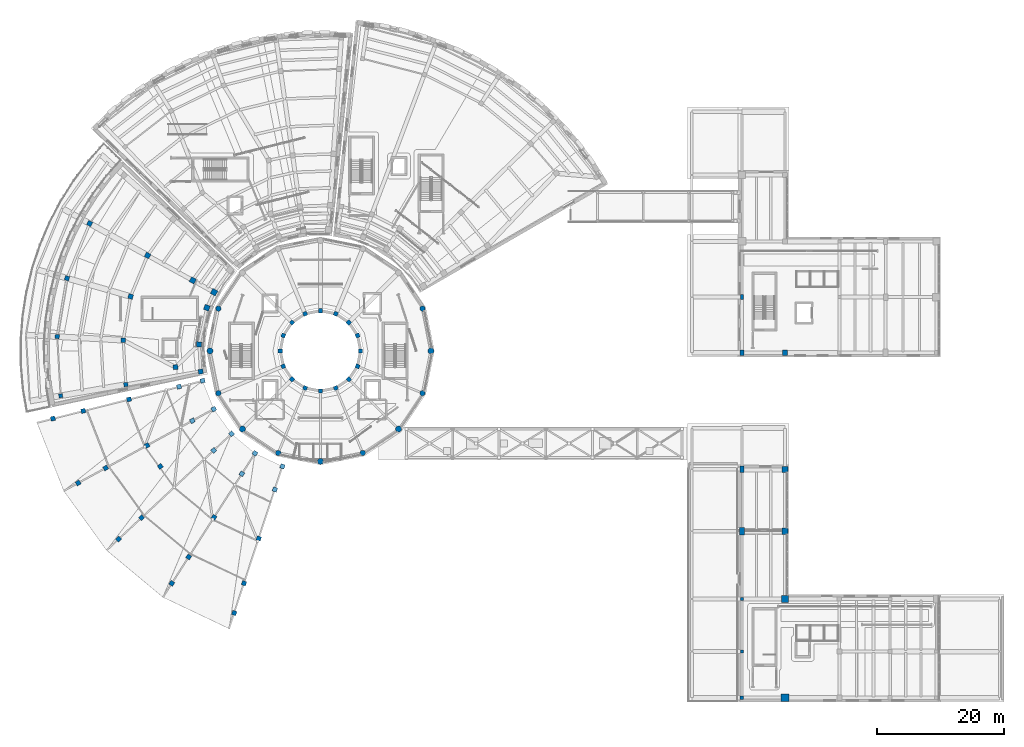
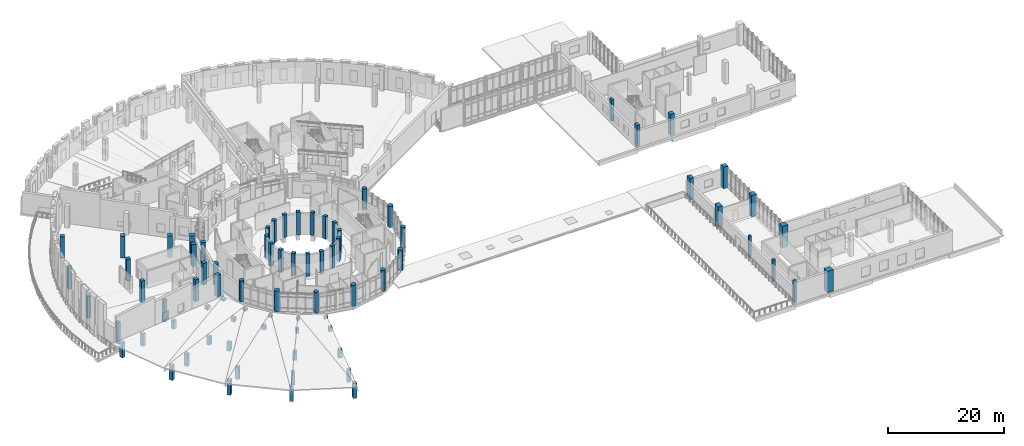
# One storey, part 1 of 75: 78 columns.
"""IFC4 building model written with IfcOpenShell, lengths in metres."""

from ifc_helpers import new_model, si_unit, direction, frame, origin, origin_2d, place, context, subcontext, project, spatial, rectangle, circle, extrude, material, material_profile, profile_set, type_object, element, save


model = new_model("IFC4")

# Units and contexts
model_context = context("Model", 3, precision=1e-05, world=origin(), true_north=direction((0.0, 1.0)))
body_context = subcontext(model_context, "Body", "Model", "MODEL_VIEW")
ifc_project = project(units=[si_unit("LENGTHUNIT", "METRE"), si_unit("AREAUNIT", "SQUARE_METRE"), si_unit("VOLUMEUNIT", "CUBIC_METRE"), si_unit("PLANEANGLEUNIT", "RADIAN"), si_unit("MASSUNIT", "GRAM", prefix="KILO")], contexts=[model_context])

# Site, building, storey
site_placement = place(None, origin())
site = spatial("IfcSite", under=ifc_project, at=site_placement, CompositionType="ELEMENT")
building_placement = place(site_placement, origin())
building = spatial("IfcBuilding", under=site, at=building_placement, Name="Soyqirgoq Riverine Aquarium", CompositionType="ELEMENT")
storey_placement = place(building_placement, frame((0.0, 0.0, 10.199951171875)))
storey = spatial("IfcBuildingStorey", under=building, at=storey_placement, Name="L03", CompositionType="ELEMENT", Elevation=10.199951171875)

# Columns
ifc_material_1 = material(Name="Concrete C40/50", Category="concrete")
ifc_material_profile_1 = material_profile(ifc_material_1, circle(Radius=0.425048828125, at=origin_2d()), Name="RC-COL D850")
ifc_profile_set_1 = profile_set([ifc_material_profile_1], Name="Concrete C40/50")
column_type_1 = type_object("IfcColumnType", Name="Col_Circ_D850", PredefinedType="COLUMN", material=ifc_profile_set_1)
for number, where, z_axis, x_axis, name in (
    (1, (72.12158203125, 63.677734375, 0.0), (0.0, 0.0, 1.0), (0.923879532511, 0.382683432365, 0.0), "V1 Column V1-CO02 L03"),
    (2, (39.87841796875, 63.677734375, 0.0), (0.0, 0.0, 1.0), (-0.923879532511, 0.382683432365, 0.0), "V1 Column V1-CO08 L03"),
    (3, (39.87841796875, 50.322265625, 0.0), (0.0, 0.0, 1.0), (-0.923879532511, -0.382683432365, 0.0), "V1 Column V1-CO10 L03"),
    (4, (49.322265625, 40.87841796875, 0.0), (0.0, 0.0, 1.0), (-0.382683432365, -0.923879532511, 0.0), "V1 Column V1-CO12 L03"),
    (5, (62.677734375, 40.87841796875, 0.0), (0.0, 0.0, 1.0), (0.382683432365, -0.923879532511, 0.0), "V1 Column V1-CO14 L03"),
    (6, (72.12158203125, 50.322265625, 0.0), (0.0, 0.0, 1.0), (0.923879532511, -0.382683432365, 0.0), "V1 Column V1-CO16 L03"),
):
    element("IfcColumn", number, at=place(storey_placement, frame(where, z_axis=z_axis, x_axis=x_axis)), inside=storey, type_object=column_type_1, Name=name, PredefinedType="COLUMN", context=body_context, shape_type="SweptSolid", body=[
        extrude(circle(Radius=0.425048828125, at=origin_2d()), origin(), (0.0, 0.0, 1.0), 4.449951171875),
    ])
ifc_material_2 = material(Name="Concrete C40/50", Category="concrete")
ifc_material_profile_2 = material_profile(ifc_material_2, circle(Radius=0.47509765625, at=origin_2d()), Name="RC-COL D950")
ifc_profile_set_2 = profile_set([ifc_material_profile_2], Name="Concrete C40/50")
column_type_2 = type_object("IfcColumnType", Name="Col_Circ_D950", PredefinedType="COLUMN", material=ifc_profile_set_2)
for number, where, z_axis, x_axis, name in (
    (7, (73.449951171875, 57.0, 0.0), (0.0, 0.0, 1.0), (1.0, 0.0, 0.0), "V1 Column V1-CO01 L03"),
    (8, (38.550048828125, 57.0, 0.0), (0.0, 0.0, 1.0), (-1.0, 0.0, 0.0), "V1 Column V1-CO09 L03"),
    (9, (43.660888671875, 44.660888671875, 0.0), (0.0, 0.0, 1.0), (-0.707106781187, -0.707106781187, 0.0), "V1 Column V1-CO11 L03"),
    (10, (56.0, 39.550048828125, 0.0), (0.0, 0.0, 1.0), (0.0, -1.0, 0.0), "V1 Column V1-CO13 L03"),
    (11, (68.339111328125, 44.660888671875, 0.0), (0.0, 0.0, 1.0), (0.707106781187, -0.707106781187, 0.0), "V1 Column V1-CO15 L03"),
):
    element("IfcColumn", number, at=place(storey_placement, frame(where, z_axis=z_axis, x_axis=x_axis)), inside=storey, type_object=column_type_2, Name=name, PredefinedType="COLUMN", context=body_context, shape_type="SweptSolid", body=[
        extrude(circle(Radius=0.47509765625, at=origin_2d()), origin(), (0.0, 0.0, 1.0), 4.449951171875),
    ])
ifc_material_3 = material(Name="Concrete C40/50", Category="concrete")
ifc_material_profile_3 = material_profile(ifc_material_3, rectangle(XDim=1.0, YDim=1.0, at=origin_2d()), Name="RC 1000x1000")
ifc_profile_set_3 = profile_set([ifc_material_profile_3], Name="Concrete C40/50")
column_type_3 = type_object("IfcColumnType", Name="Col_RC_1000x1000", PredefinedType="COLUMN", material=ifc_profile_set_3)
column_1_placement = place(storey_placement, frame((129.39990234375, 28.5, 0.0), z_axis=(0.0, 0.0, 1.0), x_axis=(1.0, 0.0, 0.0)))
element("IfcColumn", 12, at=column_1_placement, inside=storey, type_object=column_type_3, Name="V6 Column V6-C-17 L03", PredefinedType="COLUMN", context=body_context, shape_type="SweptSolid", body=[
    extrude(rectangle(XDim=1.0, YDim=1.0, at=origin_2d()), origin(), (0.0, 0.0, 1.0), 4.5400390625),
])
ifc_material_4 = material(Name="Waterproof concrete C45/55", Category="concrete")
ifc_material_profile_4 = material_profile(ifc_material_4, rectangle(XDim=1.10009765625, YDim=1.10009765625, at=origin_2d()), Name="RC 1100x1100")
ifc_profile_set_4 = profile_set([ifc_material_profile_4], Name="Waterproof concrete C45/55")
column_type_4 = type_object("IfcColumnType", Name="Col_RC_1100x1100", PredefinedType="COLUMN", material=ifc_profile_set_4)
column_2_placement = place(storey_placement, frame((129.39990234375, 17.800048828125, 0.0), z_axis=(0.0, 0.0, 1.0), x_axis=(1.0, 0.0, 0.0)))
element("IfcColumn", 13, at=column_2_placement, inside=storey, type_object=column_type_4, Name="V6 Column V6-C-16 L03", PredefinedType="COLUMN", context=body_context, shape_type="SweptSolid", body=[
    extrude(rectangle(XDim=1.10009765625, YDim=1.10009765625, at=origin_2d()), origin(), (0.0, 0.0, 1.0), 4.5400390625),
])
ifc_material_5 = material(Name="Waterproof concrete C45/55", Category="concrete")
ifc_material_profile_5 = material_profile(ifc_material_5, rectangle(XDim=1.199951171875, YDim=1.199951171875, at=origin_2d()), Name="RC 1200x1200")
ifc_profile_set_5 = profile_set([ifc_material_profile_5], Name="Waterproof concrete C45/55")
column_type_5 = type_object("IfcColumnType", Name="Col_RC_1200x1200", PredefinedType="COLUMN", material=ifc_profile_set_5)
column_3_placement = place(storey_placement, frame((129.39990234375, 2.199951171875, 0.0), z_axis=(0.0, 0.0, 1.0), x_axis=(1.0, 0.0, 0.0)))
element("IfcColumn", 14, at=column_3_placement, inside=storey, type_object=column_type_5, Name="V6 Column V6-C-15 L03", PredefinedType="COLUMN", context=body_context, shape_type="SweptSolid", body=[
    extrude(rectangle(XDim=1.199951171875, YDim=1.199951171875, at=origin_2d()), origin(), (0.0, 0.0, 1.0), 4.5400390625),
])
ifc_material_6 = material(Name="Concrete C40/50", Category="concrete")
ifc_material_profile_6 = material_profile(ifc_material_6, rectangle(XDim=0.449951171875, YDim=0.449951171875, at=origin_2d()), Name="RC 450x450")
ifc_profile_set_6 = profile_set([ifc_material_profile_6], Name="Concrete C40/50")
column_type_6 = type_object("IfcColumnType", Name="Col_RC_450x450", PredefinedType="COLUMN", material=ifc_profile_set_6)
column_4_placement = place(storey_placement, frame((122.60009765625, 17.800048828125, 0.0), z_axis=(0.0, 0.0, 1.0), x_axis=(1.0, 0.0, 0.0)))
element("IfcColumn", 15, at=column_4_placement, inside=storey, type_object=column_type_6, Name="V6 Column V6-C-10 L03", PredefinedType="COLUMN", context=body_context, shape_type="SweptSolid", body=[
    extrude(rectangle(XDim=0.449951171875, YDim=0.449951171875, at=origin_2d()), origin(), (0.0, 0.0, 1.0), 4.5400390625),
])
ifc_material_7 = material(Name="Concrete C40/50", Category="concrete")
ifc_material_profile_7 = material_profile(ifc_material_7, rectangle(XDim=0.5, YDim=0.5, at=origin_2d()), Name="RC 500x500")
ifc_profile_set_7 = profile_set([ifc_material_profile_7], Name="Concrete C40/50")
column_type_7 = type_object("IfcColumnType", Name="Col_RC_500x500", PredefinedType="COLUMN", material=ifc_profile_set_7)
column_5_placement = place(storey_placement, frame((122.60009765625, 9.5, 0.0), z_axis=(0.0, 0.0, 1.0), x_axis=(1.0, 0.0, 0.0)))
element("IfcColumn", 16, at=column_5_placement, inside=storey, type_object=column_type_7, Name="V6 Column V6-C-09 L03", PredefinedType="COLUMN", context=body_context, shape_type="SweptSolid", body=[
    extrude(rectangle(XDim=0.5, YDim=0.5, at=origin_2d()), origin(), (0.0, 0.0, 1.0), 4.5400390625),
])
ifc_material_8 = material(Name="Concrete C40/50", Category="concrete")
ifc_material_profile_8 = material_profile(ifc_material_8, rectangle(XDim=0.5, YDim=0.75, at=origin_2d()), Name="RC-COL 500x750")
ifc_profile_set_8 = profile_set([ifc_material_profile_8], Name="Concrete C40/50")
column_type_8 = type_object("IfcColumnType", Name="Col_RC_500x750", PredefinedType="COLUMN", material=ifc_profile_set_8)
column_6_placement = place(storey_placement, frame((122.60009765625, 65.5, 0.0), z_axis=(0.0, 0.0, 1.0), x_axis=(1.0, 0.0, 0.0)))
element("IfcColumn", 17, at=column_6_placement, inside=storey, type_object=column_type_8, Name="V7 Column V7-C-09 L03", PredefinedType="COLUMN", context=body_context, shape_type="SweptSolid", body=[
    extrude(rectangle(XDim=0.5, YDim=0.75, at=origin_2d()), origin(), (0.0, 0.0, 1.0), 4.5),
])
ifc_material_9 = material(Name="Concrete C40/50", Category="concrete")
ifc_material_profile_9 = material_profile(ifc_material_9, rectangle(XDim=0.550048828125, YDim=0.550048828125, at=origin_2d()), Name="RC 550x550")
ifc_profile_set_9 = profile_set([ifc_material_profile_9], Name="Concrete C40/50")
column_type_9 = type_object("IfcColumnType", Name="Col_RC_550x550", PredefinedType="COLUMN", material=ifc_profile_set_9)
column_7_placement = place(storey_placement, frame((122.60009765625, 2.199951171875, 0.0), z_axis=(0.0, 0.0, 1.0), x_axis=(1.0, 0.0, 0.0)))
element("IfcColumn", 18, at=column_7_placement, inside=storey, type_object=column_type_9, Name="V6 Column V6-C-08 L03", PredefinedType="COLUMN", context=body_context, shape_type="SweptSolid", body=[
    extrude(rectangle(XDim=0.550048828125, YDim=0.550048828125, at=origin_2d()), origin(), (0.0, 0.0, 1.0), 4.5400390625),
])
ifc_material_10 = material(Name="Concrete C40/50", Category="concrete")
ifc_material_profile_10 = material_profile(ifc_material_10, rectangle(XDim=0.60009765625, YDim=0.60009765625, at=origin_2d()), Name="RC 600x600")
ifc_profile_set_10 = profile_set([ifc_material_profile_10], Name="Concrete C40/50")
column_type_10 = type_object("IfcColumnType", Name="Col_RC_600x600", PredefinedType="COLUMN", material=ifc_profile_set_10)
column_8_placement = place(storey_placement, frame((14.957763671875, 49.910888671875, 0.0), z_axis=(0.0, 0.0, 1.0), x_axis=(-0.985407898483, -0.170209499166, 0.0)))
element("IfcColumn", 19, at=column_8_placement, inside=storey, type_object=column_type_10, Name="V3 Column V3-CR4-05 L03", PredefinedType="COLUMN", context=body_context, shape_type="SweptSolid", body=[
    extrude(rectangle(XDim=0.60009765625, YDim=0.60009765625, at=origin_2d()), origin(), (0.0, 0.0, 1.0), 4.580078125),
])
ifc_material_11 = material(Name="Concrete C40/50", Category="concrete")
ifc_material_profile_11 = material_profile(ifc_material_11, rectangle(XDim=0.60009765625, YDim=0.89990234375, at=origin_2d()), Name="RC-COL 600x900")
ifc_profile_set_11 = profile_set([ifc_material_profile_11], Name="Concrete C40/50")
column_type_11 = type_object("IfcColumnType", Name="Col_RC_600x900", PredefinedType="COLUMN", material=ifc_profile_set_11)
column_9_placement = place(storey_placement, frame((122.60009765625, 56.699951171875, 0.0), z_axis=(0.0, 0.0, 1.0), x_axis=(1.0, 0.0, 0.0)))
element("IfcColumn", 20, at=column_9_placement, inside=storey, type_object=column_type_11, Name="V7 Column V7-C-08 L03", PredefinedType="COLUMN", context=body_context, shape_type="SweptSolid", body=[
    extrude(rectangle(XDim=0.60009765625, YDim=0.89990234375, at=origin_2d()), origin(), (0.0, 0.0, 1.0), 4.5),
])
ifc_material_12 = material(Name="Concrete C40/50", Category="concrete")
ifc_material_profile_12 = material_profile(ifc_material_12, rectangle(XDim=0.64990234375, YDim=0.64990234375, at=origin_2d()), Name="RC 650x650")
ifc_profile_set_12 = profile_set([ifc_material_profile_12], Name="Concrete C40/50")
column_type_12 = type_object("IfcColumnType", Name="Col_RC_650x650", PredefinedType="COLUMN", material=ifc_profile_set_12)
for number, where, z_axis, x_axis, name in (
    (21, (62.35009765625, 57.0, 0.0), (0.0, 0.0, 1.0), (1.0, 0.0, 0.0), "V1 Column V1-CT01 L03"),
    (22, (61.86669921875, 59.429931640625, 0.0), (0.0, 0.0, 1.0), (0.923879532511, 0.382683432365, 0.0), "V1 Column V1-CT02 L03"),
    (23, (60.489990234375, 61.489990234375, 0.0), (0.0, 0.0, 1.0), (0.707106781187, 0.707106781187, 0.0), "V1 Column V1-CT03 L03"),
    (24, (58.429931640625, 62.86669921875, 0.0), (0.0, 0.0, 1.0), (0.382683432365, 0.923879532511, 0.0), "V1 Column V1-CT04 L03"),
    (25, (56.0, 63.35009765625, 0.0), (0.0, 0.0, 1.0), (0.0, 1.0, 0.0), "V1 Column V1-CT05 L03"),
    (26, (53.570068359375, 62.86669921875, 0.0), (0.0, 0.0, 1.0), (-0.382683432365, 0.923879532511, 0.0), "V1 Column V1-CT06 L03"),
    (27, (51.510009765625, 61.489990234375, 0.0), (0.0, 0.0, 1.0), (-0.707106781187, 0.707106781187, 0.0), "V1 Column V1-CT07 L03"),
    (28, (50.13330078125, 59.429931640625, 0.0), (0.0, 0.0, 1.0), (-0.923879532511, 0.382683432365, 0.0), "V1 Column V1-CT08 L03"),
    (29, (49.64990234375, 57.0, 0.0), (0.0, 0.0, 1.0), (-1.0, 0.0, 0.0), "V1 Column V1-CT09 L03"),
    (30, (50.13330078125, 54.570068359375, 0.0), (0.0, 0.0, 1.0), (-0.923879532511, -0.382683432365, 0.0), "V1 Column V1-CT10 L03"),
    (31, (51.510009765625, 52.510009765625, 0.0), (0.0, 0.0, 1.0), (-0.707106781187, -0.707106781187, 0.0), "V1 Column V1-CT11 L03"),
    (32, (53.570068359375, 51.13330078125, 0.0), (0.0, 0.0, 1.0), (-0.382683432365, -0.923879532511, 0.0), "V1 Column V1-CT12 L03"),
    (33, (56.0, 50.64990234375, 0.0), (0.0, 0.0, 1.0), (0.0, -1.0, 0.0), "V1 Column V1-CT13 L03"),
    (34, (58.429931640625, 51.13330078125, 0.0), (0.0, 0.0, 1.0), (0.382683432365, -0.923879532511, 0.0), "V1 Column V1-CT14 L03"),
    (35, (60.489990234375, 52.510009765625, 0.0), (0.0, 0.0, 1.0), (0.707106781187, -0.707106781187, 0.0), "V1 Column V1-CT15 L03"),
    (36, (61.86669921875, 54.570068359375, 0.0), (0.0, 0.0, 1.0), (0.923879532511, -0.382683432365, 0.0), "V1 Column V1-CT16 L03"),
):
    element("IfcColumn", number, at=place(storey_placement, frame(where, z_axis=z_axis, x_axis=x_axis)), inside=storey, type_object=column_type_12, Name=name, PredefinedType="COLUMN", context=body_context, shape_type="SweptSolid", body=[
        extrude(rectangle(XDim=0.64990234375, YDim=0.64990234375, at=origin_2d()), origin(), (0.0, 0.0, 1.0), 4.800048828125),
    ])
for number, where, z_axis, x_axis, name in (
    (37, (14.410888671875, 59.25244140625, 0.0), (0.0, 0.0, 1.0), (-0.998536670326, 0.054078812985, 0.0), "V3 Column V3-CR4-04 L03"),
    (38, (25.25537109375, 51.689453125, 0.0), (0.0, 0.0, 1.0), (-0.985407898483, -0.170209499166, 0.0), "V3 Column V3-CR3-05 L03"),
):
    element("IfcColumn", number, at=place(storey_placement, frame(where, z_axis=z_axis, x_axis=x_axis)), inside=storey, type_object=column_type_12, Name=name, PredefinedType="COLUMN", context=body_context, shape_type="SweptSolid", body=[
        extrude(rectangle(XDim=0.64990234375, YDim=0.64990234375, at=origin_2d()), origin(), (0.0, 0.0, 1.0), 4.580078125),
    ])
ifc_material_13 = material(Name="Concrete C40/50", Category="concrete")
ifc_material_profile_13 = material_profile(ifc_material_13, rectangle(XDim=0.699951171875, YDim=1.050048828125, at=origin_2d()), Name="RC-COL 700x1050")
ifc_profile_set_13 = profile_set([ifc_material_profile_13], Name="Concrete C40/50")
column_type_13 = type_object("IfcColumnType", Name="Col_RC_700x1050", PredefinedType="COLUMN", material=ifc_profile_set_13)
column_10_placement = place(storey_placement, frame((122.60009765625, 38.300048828125, 0.0), z_axis=(0.0, 0.0, 1.0), x_axis=(1.0, 0.0, 0.0)))
element("IfcColumn", 39, at=column_10_placement, inside=storey, type_object=column_type_13, Name="V6 Column V6-C-12 L03", PredefinedType="COLUMN", context=body_context, shape_type="SweptSolid", body=[
    extrude(rectangle(XDim=0.699951171875, YDim=1.050048828125, at=origin_2d()), origin(), (0.0, 0.0, 1.0), 4.5400390625),
])
ifc_material_14 = material(Name="Concrete C40/50", Category="concrete")
ifc_material_profile_14 = material_profile(ifc_material_14, rectangle(XDim=0.699951171875, YDim=0.699951171875, at=origin_2d()), Name="RC 700x700")
ifc_profile_set_14 = profile_set([ifc_material_profile_14], Name="Concrete C40/50")
column_type_14 = type_object("IfcColumnType", Name="Col_RC_700x700", PredefinedType="COLUMN", material=ifc_profile_set_14)
for number, where, z_axis, x_axis, name in (
    (40, (15.96337890625, 68.480224609375, 0.0), (0.0, 0.0, 1.0), (-0.961261695938, 0.275637355817, 0.0), "V3 Column V3-CR4-03 L03"),
    (41, (24.845703125, 58.687255859375, 0.0), (0.0, 0.0, 1.0), (-0.998536670326, 0.054078812985, 0.0), "V3 Column V3-CR3-04 L03"),
):
    element("IfcColumn", number, at=place(storey_placement, frame(where, z_axis=z_axis, x_axis=x_axis)), inside=storey, type_object=column_type_14, Name=name, PredefinedType="COLUMN", context=body_context, shape_type="SweptSolid", body=[
        extrude(rectangle(XDim=0.699951171875, YDim=0.699951171875, at=origin_2d()), origin(), (0.0, 0.0, 1.0), 4.580078125),
    ])
column_11_placement = place(storey_placement, frame((37.38671875, 52.2900390625, -0.219970703125), z_axis=(0.0, 0.0, 1.0), x_axis=(-0.969445349895, -0.245307385879, 0.0)))
element("IfcColumn", 42, at=column_11_placement, inside=storey, type_object=column_type_14, Name="V2 Prairie Roof Inner Column Post 01", PredefinedType="COLUMN", context=body_context, shape_type="SweptSolid", body=[
    extrude(rectangle(XDim=0.699951171875, YDim=0.699951171875, at=origin_2d()), origin(), (0.0, 0.0, 1.0), 0.42333984375),
])
column_12_placement = place(storey_placement, frame((13.732177734375, 46.3046875, -0.219970703125), z_axis=(0.0, 0.0, 1.0), x_axis=(-0.969445349895, -0.245307385879, 0.0)))
element("IfcColumn", 43, at=column_12_placement, inside=storey, type_object=column_type_14, Name="V2 Prairie Roof Outer Column Post 01", PredefinedType="COLUMN", context=body_context, shape_type="SweptSolid", body=[
    extrude(rectangle(XDim=0.699951171875, YDim=0.699951171875, at=origin_2d()), origin(), (0.0, 0.0, 1.0), 3.13427734375),
])
column_13_placement = place(storey_placement, frame((33.654296875, 51.345703125, -0.219970703125), z_axis=(0.0, 0.0, 1.0), x_axis=(-0.969445349895, -0.245307385879, 0.0)))
element("IfcColumn", 44, at=column_13_placement, inside=storey, type_object=column_type_14, Name="V2 Prairie Roof Mid Column Post R2-01", PredefinedType="COLUMN", context=body_context, shape_type="SweptSolid", body=[
    extrude(rectangle(XDim=0.699951171875, YDim=0.699951171875, at=origin_2d()), origin(), (0.0, 0.0, 1.0), 0.85107421875),
])
column_14_placement = place(storey_placement, frame((25.75341796875, 49.346435546875, -0.219970703125), z_axis=(0.0, 0.0, 1.0), x_axis=(-0.969445349895, -0.245307385879, 0.0)))
element("IfcColumn", 45, at=column_14_placement, inside=storey, type_object=column_type_14, Name="V2 Prairie Roof Mid Column Post R3-01", PredefinedType="COLUMN", context=body_context, shape_type="SweptSolid", body=[
    extrude(rectangle(XDim=0.699951171875, YDim=0.699951171875, at=origin_2d()), origin(), (0.0, 0.0, 1.0), 1.756591796875),
])
column_15_placement = place(storey_placement, frame((18.531005859375, 47.518798828125, -0.219970703125), z_axis=(0.0, 0.0, 1.0), x_axis=(-0.969445349895, -0.245307385879, 0.0)))
element("IfcColumn", 46, at=column_15_placement, inside=storey, type_object=column_type_14, Name="V2 Prairie Roof Mid Column Post R4-01", PredefinedType="COLUMN", context=body_context, shape_type="SweptSolid", body=[
    extrude(rectangle(XDim=0.699951171875, YDim=0.699951171875, at=origin_2d()), origin(), (0.0, 0.0, 1.0), 2.584228515625),
])
column_16_placement = place(storey_placement, frame((39.142578125, 47.80908203125, -0.219970703125), z_axis=(0.0, 0.0, 1.0), x_axis=(-0.877982975428, -0.478691857941, 0.0)))
element("IfcColumn", 47, at=column_16_placement, inside=storey, type_object=column_type_14, Name="V2 Prairie Roof Inner Column Post 02", PredefinedType="COLUMN", context=body_context, shape_type="SweptSolid", body=[
    extrude(rectangle(XDim=0.699951171875, YDim=0.699951171875, at=origin_2d()), origin(), (0.0, 0.0, 1.0), 0.42822265625),
])
column_17_placement = place(storey_placement, frame((17.719970703125, 36.12890625, -0.219970703125), z_axis=(0.0, 0.0, 1.0), x_axis=(-0.877982975428, -0.478691857941, 0.0)))
element("IfcColumn", 48, at=column_17_placement, inside=storey, type_object=column_type_14, Name="V2 Prairie Roof Outer Column Post 02", PredefinedType="COLUMN", context=body_context, shape_type="SweptSolid", body=[
    extrude(rectangle(XDim=0.699951171875, YDim=0.699951171875, at=origin_2d()), origin(), (0.0, 0.0, 1.0), 3.139404296875),
])
column_18_placement = place(storey_placement, frame((35.762451171875, 45.96630859375, -0.219970703125), z_axis=(0.0, 0.0, 1.0), x_axis=(-0.877982975428, -0.478691857941, 0.0)))
element("IfcColumn", 49, at=column_18_placement, inside=storey, type_object=column_type_14, Name="V2 Prairie Roof Mid Column Post R2-02", PredefinedType="COLUMN", context=body_context, shape_type="SweptSolid", body=[
    extrude(rectangle(XDim=0.699951171875, YDim=0.699951171875, at=origin_2d()), origin(), (0.0, 0.0, 1.0), 0.85595703125),
])
column_19_placement = place(storey_placement, frame((28.60693359375, 42.064697265625, -0.219970703125), z_axis=(0.0, 0.0, 1.0), x_axis=(-0.877982975428, -0.478691857941, 0.0)))
element("IfcColumn", 50, at=column_19_placement, inside=storey, type_object=column_type_14, Name="V2 Prairie Roof Mid Column Post R3-02", PredefinedType="COLUMN", context=body_context, shape_type="SweptSolid", body=[
    extrude(rectangle(XDim=0.699951171875, YDim=0.699951171875, at=origin_2d()), origin(), (0.0, 0.0, 1.0), 1.761474609375),
])
column_20_placement = place(storey_placement, frame((22.06591796875, 38.49853515625, -0.219970703125), z_axis=(0.0, 0.0, 1.0), x_axis=(-0.877982975428, -0.478691857941, 0.0)))
element("IfcColumn", 51, at=column_20_placement, inside=storey, type_object=column_type_14, Name="V2 Prairie Roof Mid Column Post R4-02", PredefinedType="COLUMN", context=body_context, shape_type="SweptSolid", body=[
    extrude(rectangle(XDim=0.699951171875, YDim=0.699951171875, at=origin_2d()), origin(), (0.0, 0.0, 1.0), 2.58935546875),
])
column_21_placement = place(storey_placement, frame((41.9580078125, 43.905517578125, -0.219970703125), z_axis=(0.0, 0.0, 1.0), x_axis=(-0.731353701619, -0.681998360062, 0.0)))
element("IfcColumn", 52, at=column_21_placement, inside=storey, type_object=column_type_14, Name="V2 Prairie Roof Inner Column Post 03", PredefinedType="COLUMN", context=body_context, shape_type="SweptSolid", body=[
    extrude(rectangle(XDim=0.699951171875, YDim=0.699951171875, at=origin_2d()), origin(), (0.0, 0.0, 1.0), 0.43310546875),
])
column_22_placement = place(storey_placement, frame((24.113037109375, 27.264892578125, -0.219970703125), z_axis=(0.0, 0.0, 1.0), x_axis=(-0.731353701619, -0.681998360062, 0.0)))
element("IfcColumn", 53, at=column_22_placement, inside=storey, type_object=column_type_14, Name="V2 Prairie Roof Outer Column Post 03", PredefinedType="COLUMN", context=body_context, shape_type="SweptSolid", body=[
    extrude(rectangle(XDim=0.699951171875, YDim=0.699951171875, at=origin_2d()), origin(), (0.0, 0.0, 1.0), 3.144287109375),
])
column_23_placement = place(storey_placement, frame((39.142333984375, 41.27978515625, -0.219970703125), z_axis=(0.0, 0.0, 1.0), x_axis=(-0.731353701619, -0.681998360062, 0.0)))
element("IfcColumn", 54, at=column_23_placement, inside=storey, type_object=column_type_14, Name="V2 Prairie Roof Mid Column Post R2-03", PredefinedType="COLUMN", context=body_context, shape_type="SweptSolid", body=[
    extrude(rectangle(XDim=0.699951171875, YDim=0.699951171875, at=origin_2d()), origin(), (0.0, 0.0, 1.0), 0.86083984375),
])
column_24_placement = place(storey_placement, frame((30.69482421875, 38.749267578125, -0.219970703125), z_axis=(0.0, 0.0, 1.0), x_axis=(-0.811063818989, -0.584957674987, 0.0)))
element("IfcColumn", 55, at=column_24_placement, inside=storey, type_object=column_type_14, Name="V2 Prairie Roof Mid Column Post R3-03", PredefinedType="COLUMN", context=body_context, shape_type="SweptSolid", body=[
    extrude(rectangle(XDim=0.699951171875, YDim=0.699951171875, at=origin_2d()), origin(), (0.0, 0.0, 1.0), 1.8095703125),
])
column_25_placement = place(storey_placement, frame((27.733154296875, 30.640869140625, -0.219970703125), z_axis=(0.0, 0.0, 1.0), x_axis=(-0.731353701619, -0.681998360062, 0.0)))
element("IfcColumn", 56, at=column_25_placement, inside=storey, type_object=column_type_14, Name="V2 Prairie Roof Mid Column Post R4-03", PredefinedType="COLUMN", context=body_context, shape_type="SweptSolid", body=[
    extrude(rectangle(XDim=0.699951171875, YDim=0.699951171875, at=origin_2d()), origin(), (0.0, 0.0, 1.0), 2.59423828125),
])
column_26_placement = place(storey_placement, frame((45.655517578125, 40.824951171875, -0.219970703125), z_axis=(0.0, 0.0, 1.0), x_axis=(-0.538770785007, -0.842452397007, 0.0)))
element("IfcColumn", 57, at=column_26_placement, inside=storey, type_object=column_type_14, Name="V2 Prairie Roof Inner Column Post 04", PredefinedType="COLUMN", context=body_context, shape_type="SweptSolid", body=[
    extrude(rectangle(XDim=0.699951171875, YDim=0.699951171875, at=origin_2d()), origin(), (0.0, 0.0, 1.0), 0.458251953125),
])
column_27_placement = place(storey_placement, frame((32.509521484375, 20.26904296875, -0.219970703125), z_axis=(0.0, 0.0, 1.0), x_axis=(-0.538770785007, -0.842452397007, 0.0)))
element("IfcColumn", 58, at=column_27_placement, inside=storey, type_object=column_type_14, Name="V2 Prairie Roof Outer Column Post 04", PredefinedType="COLUMN", context=body_context, shape_type="SweptSolid", body=[
    extrude(rectangle(XDim=0.699951171875, YDim=0.699951171875, at=origin_2d()), origin(), (0.0, 0.0, 1.0), 3.16943359375),
])
column_28_placement = place(storey_placement, frame((43.581298828125, 37.58154296875, -0.219970703125), z_axis=(0.0, 0.0, 1.0), x_axis=(-0.538770785007, -0.842452397007, 0.0)))
element("IfcColumn", 59, at=column_28_placement, inside=storey, type_object=column_type_14, Name="V2 Prairie Roof Mid Column Post R2-04", PredefinedType="COLUMN", context=body_context, shape_type="SweptSolid", body=[
    extrude(rectangle(XDim=0.699951171875, YDim=0.699951171875, at=origin_2d()), origin(), (0.0, 0.0, 1.0), 0.885986328125),
])
column_29_placement = place(storey_placement, frame((39.1904296875, 30.715576171875, -0.219970703125), z_axis=(0.0, 0.0, 1.0), x_axis=(-0.538770785007, -0.842452397007, 0.0)))
element("IfcColumn", 60, at=column_29_placement, inside=storey, type_object=column_type_14, Name="V2 Prairie Roof Mid Column Post R3-04", PredefinedType="COLUMN", context=body_context, shape_type="SweptSolid", body=[
    extrude(rectangle(XDim=0.699951171875, YDim=0.699951171875, at=origin_2d()), origin(), (0.0, 0.0, 1.0), 1.79150390625),
])
column_30_placement = place(storey_placement, frame((35.176513671875, 24.439208984375, -0.219970703125), z_axis=(0.0, 0.0, 1.0), x_axis=(-0.538770785007, -0.842452397007, 0.0)))
element("IfcColumn", 61, at=column_30_placement, inside=storey, type_object=column_type_14, Name="V2 Prairie Roof Mid Column Post R4-04", PredefinedType="COLUMN", context=body_context, shape_type="SweptSolid", body=[
    extrude(rectangle(XDim=0.699951171875, YDim=0.699951171875, at=origin_2d()), origin(), (0.0, 0.0, 1.0), 2.619384765625),
])
column_31_placement = place(storey_placement, frame((50.003173828125, 38.760498046875, -0.219970703125), z_axis=(0.0, 0.0, 1.0), x_axis=(-0.312334918512, -0.949972051525, 0.0)))
element("IfcColumn", 62, at=column_31_placement, inside=storey, type_object=column_type_14, Name="V2 Prairie Roof Inner Column Post 05", PredefinedType="COLUMN", context=body_context, shape_type="SweptSolid", body=[
    extrude(rectangle(XDim=0.699951171875, YDim=0.699951171875, at=origin_2d()), origin(), (0.0, 0.0, 1.0), 0.42333984375),
])
column_32_placement = place(storey_placement, frame((42.382080078125, 15.581298828125, -0.219970703125), z_axis=(0.0, 0.0, 1.0), x_axis=(-0.312334918512, -0.949972051525, 0.0)))
element("IfcColumn", 63, at=column_32_placement, inside=storey, type_object=column_type_14, Name="V2 Prairie Roof Outer Column Post 05", PredefinedType="COLUMN", context=body_context, shape_type="SweptSolid", body=[
    extrude(rectangle(XDim=0.699951171875, YDim=0.699951171875, at=origin_2d()), origin(), (0.0, 0.0, 1.0), 3.13427734375),
])
column_33_placement = place(storey_placement, frame((48.80078125, 35.10302734375, -0.219970703125), z_axis=(0.0, 0.0, 1.0), x_axis=(-0.312334918512, -0.949972051525, 0.0)))
element("IfcColumn", 64, at=column_33_placement, inside=storey, type_object=column_type_14, Name="V2 Prairie Roof Mid Column Post R2-05", PredefinedType="COLUMN", context=body_context, shape_type="SweptSolid", body=[
    extrude(rectangle(XDim=0.699951171875, YDim=0.699951171875, at=origin_2d()), origin(), (0.0, 0.0, 1.0), 0.85107421875),
])
column_34_placement = place(storey_placement, frame((46.255126953125, 27.36083984375, -0.219970703125), z_axis=(0.0, 0.0, 1.0), x_axis=(-0.312334918512, -0.949972051525, 0.0)))
element("IfcColumn", 65, at=column_34_placement, inside=storey, type_object=column_type_14, Name="V2 Prairie Roof Mid Column Post R3-05", PredefinedType="COLUMN", context=body_context, shape_type="SweptSolid", body=[
    extrude(rectangle(XDim=0.699951171875, YDim=0.699951171875, at=origin_2d()), origin(), (0.0, 0.0, 1.0), 1.756591796875),
])
column_35_placement = place(storey_placement, frame((43.92822265625, 20.28369140625, -0.219970703125), z_axis=(0.0, 0.0, 1.0), x_axis=(-0.312334918512, -0.949972051525, 0.0)))
element("IfcColumn", 66, at=column_35_placement, inside=storey, type_object=column_type_14, Name="V2 Prairie Roof Mid Column Post R4-05", PredefinedType="COLUMN", context=body_context, shape_type="SweptSolid", body=[
    extrude(rectangle(XDim=0.699951171875, YDim=0.699951171875, at=origin_2d()), origin(), (0.0, 0.0, 1.0), 2.584228515625),
])
ifc_material_15 = material(Name="Concrete C40/50", Category="concrete")
ifc_material_profile_15 = material_profile(ifc_material_15, rectangle(XDim=0.75, YDim=0.75, at=origin_2d()), Name="RC 750x750")
ifc_profile_set_15 = profile_set([ifc_material_profile_15], Name="Concrete C40/50")
column_type_15 = type_object("IfcColumnType", Name="Col_RC_750x750", PredefinedType="COLUMN", material=ifc_profile_set_15)
for number, where, z_axis, x_axis, name in (
    (67, (19.536865234375, 77.128662109375, 0.0), (0.0, 0.0, 1.0), (-0.875464527, 0.483282383255, 0.0), "V3 Column V3-CR4-02 L03"),
    (68, (26.008544921875, 65.599853515625, 0.0), (0.0, 0.0, 1.0), (-0.961261695938, 0.275637355817, 0.0), "V3 Column V3-CR3-03 L03"),
    (69, (33.093505859375, 54.4306640625, 0.0), (0.0, 0.0, 1.0), (-0.993767919161, -0.111468932206, 0.0), "V3 Column V3-CR2-04 L03"),
    (70, (37.080078125, 53.73193359375, 0.0), (0.0, 0.0, 1.0), (-0.985407898483, -0.170209499166, 0.0), "V3 Column V3-CR1-05 L03"),
):
    element("IfcColumn", number, at=place(storey_placement, frame(where, z_axis=z_axis, x_axis=x_axis)), inside=storey, type_object=column_type_15, Name=name, PredefinedType="COLUMN", context=body_context, shape_type="SweptSolid", body=[
        extrude(rectangle(XDim=0.75, YDim=0.75, at=origin_2d()), origin(), (0.0, 0.0, 1.0), 4.580078125),
    ])
ifc_material_16 = material(Name="Concrete C40/50", Category="concrete")
ifc_material_profile_16 = material_profile(ifc_material_16, rectangle(XDim=0.800048828125, YDim=1.199951171875, at=origin_2d()), Name="RC-COL 800x1200")
ifc_profile_set_16 = profile_set([ifc_material_profile_16], Name="Concrete C40/50")
column_type_16 = type_object("IfcColumnType", Name="Col_RC_800x1200", PredefinedType="COLUMN", material=ifc_profile_set_16)
column_36_placement = place(storey_placement, frame((122.60009765625, 28.5, 0.0), z_axis=(0.0, 0.0, 1.0), x_axis=(1.0, 0.0, 0.0)))
element("IfcColumn", 71, at=column_36_placement, inside=storey, type_object=column_type_16, Name="V6 Column V6-C-11 L03", PredefinedType="COLUMN", context=body_context, shape_type="SweptSolid", body=[
    extrude(rectangle(XDim=0.800048828125, YDim=1.199951171875, at=origin_2d()), origin(), (0.0, 0.0, 1.0), 4.5400390625),
])
ifc_material_17 = material(Name="Concrete C40/50", Category="concrete")
ifc_material_profile_17 = material_profile(ifc_material_17, rectangle(XDim=0.800048828125, YDim=0.800048828125, at=origin_2d()), Name="RC 800x800")
ifc_profile_set_17 = profile_set([ifc_material_profile_17], Name="Concrete C40/50")
column_type_17 = type_object("IfcColumnType", Name="Col_RC_800x800", PredefinedType="COLUMN", material=ifc_profile_set_17)
for number, where, z_axis, x_axis, name in (
    (72, (28.685546875, 72.078369140625, 0.0), (0.0, 0.0, 1.0), (-0.875464527, 0.483282383255, 0.0), "V3 Column V3-CR3-02 L03"),
    (73, (36.828125, 58.038330078125, 0.0), (0.0, 0.0, 1.0), (-0.998536670326, 0.054078812985, 0.0), "V3 Column V3-CR1-04 L03"),
):
    element("IfcColumn", number, at=place(storey_placement, frame(where, z_axis=z_axis, x_axis=x_axis)), inside=storey, type_object=column_type_17, Name=name, PredefinedType="COLUMN", context=body_context, shape_type="SweptSolid", body=[
        extrude(rectangle(XDim=0.800048828125, YDim=0.800048828125, at=origin_2d()), origin(), (0.0, 0.0, 1.0), 4.580078125),
    ])
ifc_material_18 = material(Name="Concrete C40/50", Category="concrete")
ifc_material_profile_18 = material_profile(ifc_material_18, rectangle(XDim=0.85009765625, YDim=0.85009765625, at=origin_2d()), Name="RC 850x850")
ifc_profile_set_18 = profile_set([ifc_material_profile_18], Name="Concrete C40/50")
column_type_18 = type_object("IfcColumnType", Name="Col_RC_850x850", PredefinedType="COLUMN", material=ifc_profile_set_18)
for number, where, z_axis, x_axis, name in (
    (74, (35.820556640625, 68.1396484375, 0.0), (0.0, 0.0, 1.0), (-0.875464527, 0.483282383255, 0.0), "V3 Column V3-CR2-02 L03"),
    (75, (38.05126953125, 63.818115234375, 0.0), (0.0, 0.0, 1.0), (-0.934825676396, 0.355106962408, 0.0), "V3 Column V3-CR1-03 L03"),
):
    element("IfcColumn", number, at=place(storey_placement, frame(where, z_axis=z_axis, x_axis=x_axis)), inside=storey, type_object=column_type_18, Name=name, PredefinedType="COLUMN", context=body_context, shape_type="SweptSolid", body=[
        extrude(rectangle(XDim=0.85009765625, YDim=0.85009765625, at=origin_2d()), origin(), (0.0, 0.0, 1.0), 4.580078125),
    ])
column_37_placement = place(storey_placement, frame((129.39990234375, 56.699951171875, 0.0), z_axis=(0.0, 0.0, 1.0), x_axis=(1.0, 0.0, 0.0)))
element("IfcColumn", 76, at=column_37_placement, inside=storey, type_object=column_type_18, Name="V7 Column V7-C-15 L03", PredefinedType="COLUMN", context=body_context, shape_type="SweptSolid", body=[
    extrude(rectangle(XDim=0.85009765625, YDim=0.85009765625, at=origin_2d()), origin(), (0.0, 0.0, 1.0), 4.5),
])
ifc_material_19 = material(Name="Concrete C40/50", Category="concrete")
ifc_material_profile_19 = material_profile(ifc_material_19, rectangle(XDim=0.89990234375, YDim=0.89990234375, at=origin_2d()), Name="RC 900x900")
ifc_profile_set_19 = profile_set([ifc_material_profile_19], Name="Concrete C40/50")
column_type_19 = type_object("IfcColumnType", Name="Col_RC_900x900", PredefinedType="COLUMN", material=ifc_profile_set_19)
column_38_placement = place(storey_placement, frame((39.191162109375, 66.279052734375, 0.0), z_axis=(0.0, 0.0, 1.0), x_axis=(-0.875464527, 0.483282383255, 0.0)))
element("IfcColumn", 77, at=column_38_placement, inside=storey, type_object=column_type_19, Name="V3 Column V3-CR1-02 L03", PredefinedType="COLUMN", context=body_context, shape_type="SweptSolid", body=[
    extrude(rectangle(XDim=0.89990234375, YDim=0.89990234375, at=origin_2d()), origin(), (0.0, 0.0, 1.0), 4.580078125),
])
ifc_material_20 = material(Name="Concrete C40/50", Category="concrete")
ifc_material_profile_20 = material_profile(ifc_material_20, rectangle(XDim=0.949951171875, YDim=0.949951171875, at=origin_2d()), Name="RC 950x950")
ifc_profile_set_20 = profile_set([ifc_material_profile_20], Name="Concrete C40/50")
column_type_20 = type_object("IfcColumnType", Name="Col_RC_950x950", PredefinedType="COLUMN", material=ifc_profile_set_20)
column_39_placement = place(storey_placement, frame((129.39990234375, 38.300048828125, 0.0), z_axis=(0.0, 0.0, 1.0), x_axis=(1.0, 0.0, 0.0)))
element("IfcColumn", 78, at=column_39_placement, inside=storey, type_object=column_type_20, Name="V6 Column V6-C-18 L03", PredefinedType="COLUMN", context=body_context, shape_type="SweptSolid", body=[
    extrude(rectangle(XDim=0.949951171875, YDim=0.949951171875, at=origin_2d()), origin(), (0.0, 0.0, 1.0), 4.5400390625),
])

save(model, "model.ifc")
